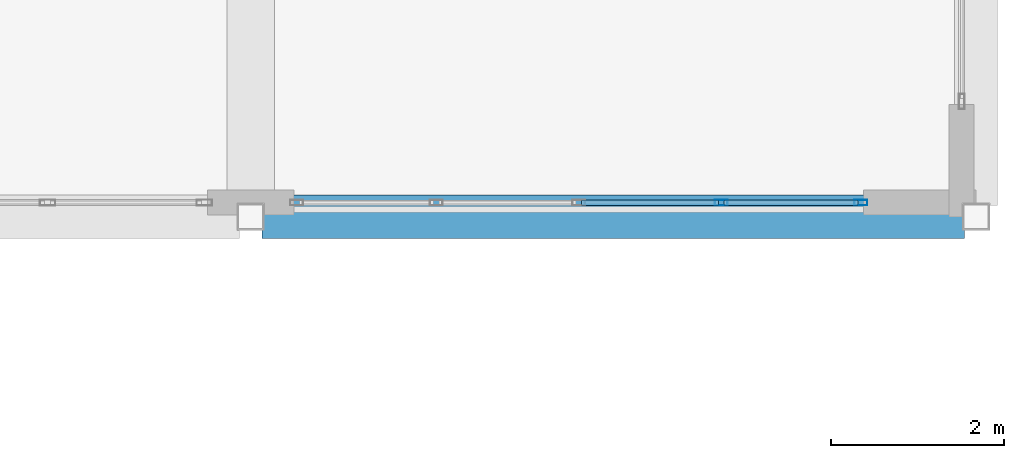
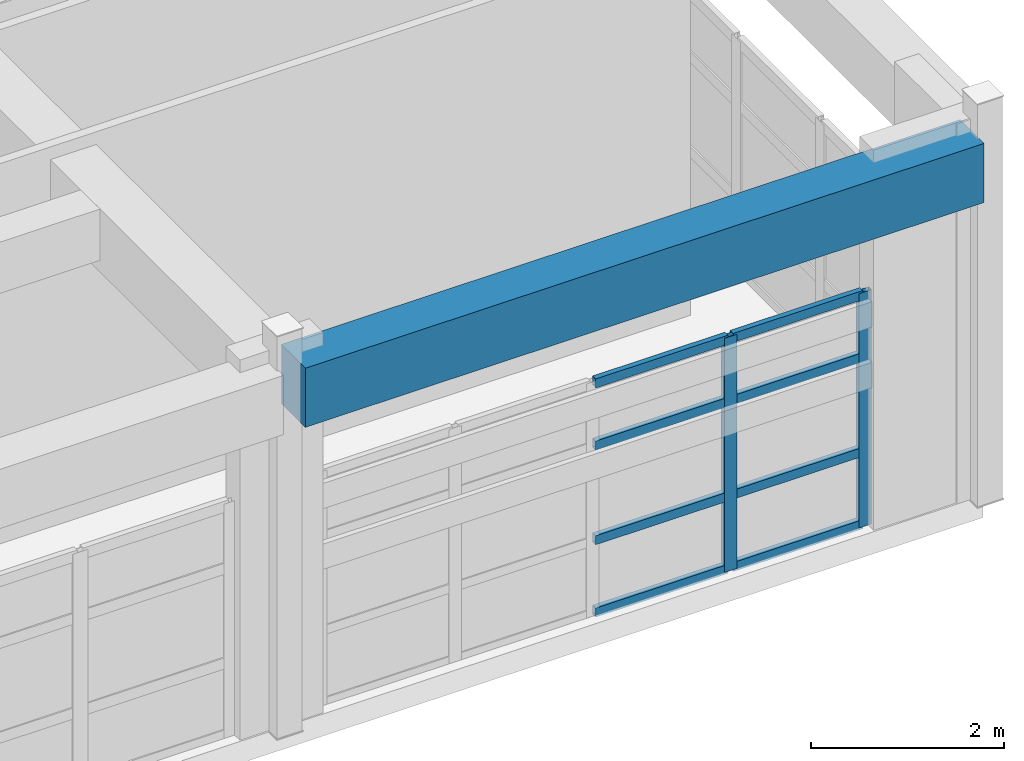
# One storey, part 66 of 103: 10 members, 1 beam, 1 element without a shape of its own.
"""IFC4 building model written with IfcOpenShell, lengths in metres."""

from ifc_helpers import new_model, si_unit, direction, frame, origin, origin_2d, place, context, subcontext, project, spatial, rectangle, hollow_rectangle, extrude, material, layer, layer_set, material_profile, profile_set, type_object, element, aggregate, save


model = new_model("IFC4")

# Units and contexts
model_context = context("Model", 3, precision=1e-05, world=origin(), true_north=direction((0.0, 1.0)))
body_context = subcontext(model_context, "Body", "Model", "MODEL_VIEW")
ifc_project = project(units=[si_unit("LENGTHUNIT", "METRE"), si_unit("AREAUNIT", "SQUARE_METRE"), si_unit("VOLUMEUNIT", "CUBIC_METRE"), si_unit("PLANEANGLEUNIT", "RADIAN"), si_unit("MASSUNIT", "GRAM", prefix="KILO")], contexts=[model_context])

# Site, building, storey
site_placement = place(None, origin())
site = spatial("IfcSite", under=ifc_project, at=site_placement, CompositionType="ELEMENT")
building_placement = place(site_placement, origin())
building = spatial("IfcBuilding", under=site, at=building_placement, Name="Quendrovan Civic Courthouse", CompositionType="ELEMENT")
storey_placement = place(building_placement, frame((0.0, 0.0, 15.300048828125)))
storey = spatial("IfcBuildingStorey", under=building, at=storey_placement, Name="L04", CompositionType="ELEMENT", Elevation=15.300048828125)

# Beam
ifc_material_1 = material(Name="Concrete C40/50", Category="concrete")
ifc_material_profile_1 = material_profile(ifc_material_1, rectangle(XDim=0.5, YDim=0.75, at=origin_2d()), Name="RC-BM-500x750")
ifc_profile_set_1 = profile_set([ifc_material_profile_1], Name="Concrete C40/50")
beam_type = type_object("IfcBeamType", Name="BM-RC750", PredefinedType="SPANDREL", material=ifc_profile_set_1)
beam_placement = place(storey_placement, frame((134.530029296875, 87.60009765625, 4.284912109375), z_axis=(1.0, 0.0, 0.0), x_axis=(0.0, 1.0, 0.0)))
element("IfcBeam", 1, at=beam_placement, inside=storey, type_object=beam_type, Name="L04 Girder X0913", PredefinedType="SPANDREL", context=body_context, shape_type="SweptSolid", body=[
    extrude(rectangle(XDim=0.5, YDim=0.75, at=origin_2d()), origin(), (0.0, 0.0, 1.0), 8.139892578125),
])

# Curtain wall, members
ifc_material_2 = material(Name="Bronze anodised aluminium and low-E glass", Category="aluminium")
ifc_layer = layer(ifc_material_2, 0.179931640625, Name="Bronze anodised aluminium and low-E glass")
ifc_layer_set = layer_set([ifc_layer], Name="Bronze anodised aluminium and low-E glass")
curtain_wall_type = type_object("IfcCurtainWallType", Name="CW-U66x30", PredefinedType="USERDEFINED", material=ifc_layer_set)
curtain_wall_placement = place(storey_placement, origin())
curtain_wall = element("IfcCurtainWall", 2, at=curtain_wall_placement, inside=storey, type_object=curtain_wall_type, Name="L04 Unitised Hurricane Curtain Wall CW-173", ObjectType="UNITISED CURTAIN WALL", PredefinedType="USERDEFINED")
ifc_material_3 = material(Name="Bronze anodised aluminium", Category="aluminium")
ifc_material_profile_2 = material_profile(ifc_material_3, hollow_rectangle(XDim=0.06494140625, YDim=0.14990234375, WallThickness=0.00390625, at=origin_2d()), Name="CW-MULL-65x150")
ifc_profile_set_2 = profile_set([ifc_material_profile_2], Name="Bronze anodised aluminium")
member_type_1 = type_object("IfcMemberType", Name="CW-MULL-B", PredefinedType="MULLION", material=ifc_profile_set_2)
member_1_placement = place(storey_placement, frame((141.467529296875, 87.764892578125, 0.0), z_axis=(0.0, 0.0, 1.0), x_axis=(0.0, -1.0, 0.0)))
member_1 = element("IfcMember", 3, at=member_1_placement, type_object=member_type_1, Name="CW-173 mullion 1", PredefinedType="MULLION", context=body_context, shape_type="SweptSolid", body=[
    extrude(hollow_rectangle(XDim=0.06494140625, YDim=0.14990234375, WallThickness=0.00390625, at=origin_2d()), origin(), (0.0, 0.0, 1.0), 2.969970703125),
])
member_2_placement = place(storey_placement, frame((139.85009765625, 87.764892578125, 0.0), z_axis=(0.0, 0.0, 1.0), x_axis=(0.0, -1.0, 0.0)))
member_2 = element("IfcMember", 4, at=member_2_placement, type_object=member_type_1, Name="CW-173 mullion 2", PredefinedType="MULLION", context=body_context, shape_type="SweptSolid", body=[
    extrude(hollow_rectangle(XDim=0.06494140625, YDim=0.14990234375, WallThickness=0.00390625, at=origin_2d()), origin(), (0.0, 0.0, 1.0), 2.969970703125),
])
ifc_material_profile_3 = material_profile(ifc_material_3, hollow_rectangle(XDim=0.06494140625, YDim=0.114990234375, WallThickness=0.00390625, at=origin_2d()), Name="CW-TRAN-65x115")
ifc_profile_set_3 = profile_set([ifc_material_profile_3], Name="Bronze anodised aluminium")
member_type_2 = type_object("IfcMemberType", Name="CW-TRAN-B", PredefinedType="USERDEFINED", material=ifc_profile_set_3)
member_3_placement = place(storey_placement, frame((141.43505859375, 87.764892578125, 0.032470703125), z_axis=(-1.0, 0.0, 0.0), x_axis=(0.0, -1.0, 0.0)))
member_3 = element("IfcMember", 5, at=member_3_placement, type_object=member_type_2, Name="CW-173 transom 1.1", ObjectType="TRANSOM", PredefinedType="USERDEFINED", context=body_context, shape_type="SweptSolid", body=[
    extrude(hollow_rectangle(XDim=0.06494140625, YDim=0.114990234375, WallThickness=0.00390625, at=origin_2d()), origin(), (0.0, 0.0, 1.0), 1.552490234375),
])
member_4_placement = place(storey_placement, frame((141.43505859375, 87.764892578125, 0.949951171875), z_axis=(-1.0, 0.0, 0.0), x_axis=(0.0, -1.0, 0.0)))
member_4 = element("IfcMember", 6, at=member_4_placement, type_object=member_type_2, Name="CW-173 transom 1.2", ObjectType="TRANSOM", PredefinedType="USERDEFINED", context=body_context, shape_type="SweptSolid", body=[
    extrude(hollow_rectangle(XDim=0.06494140625, YDim=0.114990234375, WallThickness=0.00390625, at=origin_2d()), origin(), (0.0, 0.0, 1.0), 1.552490234375),
])
member_5_placement = place(storey_placement, frame((141.43505859375, 87.764892578125, 2.14990234375), z_axis=(-1.0, 0.0, 0.0), x_axis=(0.0, -1.0, 0.0)))
member_5 = element("IfcMember", 7, at=member_5_placement, type_object=member_type_2, Name="CW-173 transom 1.3", ObjectType="TRANSOM", PredefinedType="USERDEFINED", context=body_context, shape_type="SweptSolid", body=[
    extrude(hollow_rectangle(XDim=0.06494140625, YDim=0.114990234375, WallThickness=0.00390625, at=origin_2d()), origin(), (0.0, 0.0, 1.0), 1.552490234375),
])
member_6_placement = place(storey_placement, frame((141.43505859375, 87.764892578125, 2.9375), z_axis=(-1.0, 0.0, 0.0), x_axis=(0.0, -1.0, 0.0)))
member_6 = element("IfcMember", 8, at=member_6_placement, type_object=member_type_2, Name="CW-173 transom 1.4", ObjectType="TRANSOM", PredefinedType="USERDEFINED", context=body_context, shape_type="SweptSolid", body=[
    extrude(hollow_rectangle(XDim=0.06494140625, YDim=0.114990234375, WallThickness=0.00390625, at=origin_2d()), origin(), (0.0, 0.0, 1.0), 1.552490234375),
])
member_7_placement = place(storey_placement, frame((139.8173828125, 87.764892578125, 0.032470703125), z_axis=(-1.0, 0.0, 0.0), x_axis=(0.0, -1.0, 0.0)))
member_7 = element("IfcMember", 9, at=member_7_placement, type_object=member_type_2, Name="CW-173 transom 2.1", ObjectType="TRANSOM", PredefinedType="USERDEFINED", context=body_context, shape_type="SweptSolid", body=[
    extrude(hollow_rectangle(XDim=0.06494140625, YDim=0.114990234375, WallThickness=0.00390625, at=origin_2d()), origin(), (0.0, 0.0, 1.0), 1.5849609375),
])
member_8_placement = place(storey_placement, frame((139.8173828125, 87.764892578125, 0.949951171875), z_axis=(-1.0, 0.0, 0.0), x_axis=(0.0, -1.0, 0.0)))
member_8 = element("IfcMember", 10, at=member_8_placement, type_object=member_type_2, Name="CW-173 transom 2.2", ObjectType="TRANSOM", PredefinedType="USERDEFINED", context=body_context, shape_type="SweptSolid", body=[
    extrude(hollow_rectangle(XDim=0.06494140625, YDim=0.114990234375, WallThickness=0.00390625, at=origin_2d()), origin(), (0.0, 0.0, 1.0), 1.5849609375),
])
member_9_placement = place(storey_placement, frame((139.8173828125, 87.764892578125, 2.14990234375), z_axis=(-1.0, 0.0, 0.0), x_axis=(0.0, -1.0, 0.0)))
member_9 = element("IfcMember", 11, at=member_9_placement, type_object=member_type_2, Name="CW-173 transom 2.3", ObjectType="TRANSOM", PredefinedType="USERDEFINED", context=body_context, shape_type="SweptSolid", body=[
    extrude(hollow_rectangle(XDim=0.06494140625, YDim=0.114990234375, WallThickness=0.00390625, at=origin_2d()), origin(), (0.0, 0.0, 1.0), 1.5849609375),
])
member_10_placement = place(storey_placement, frame((139.8173828125, 87.764892578125, 2.9375), z_axis=(-1.0, 0.0, 0.0), x_axis=(0.0, -1.0, 0.0)))
member_10 = element("IfcMember", 12, at=member_10_placement, type_object=member_type_2, Name="CW-173 transom 2.4", ObjectType="TRANSOM", PredefinedType="USERDEFINED", context=body_context, shape_type="SweptSolid", body=[
    extrude(hollow_rectangle(XDim=0.06494140625, YDim=0.114990234375, WallThickness=0.00390625, at=origin_2d()), origin(), (0.0, 0.0, 1.0), 1.5849609375),
])
aggregate(curtain_wall, [member_1, member_2, member_3, member_4, member_5, member_6, member_7, member_8, member_9, member_10])

save(model, "model.ifc")
